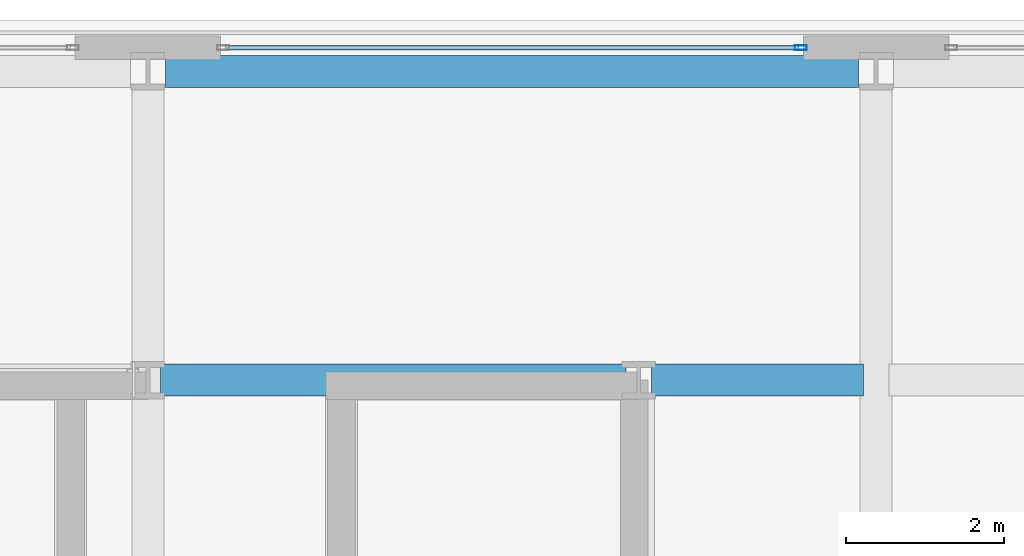
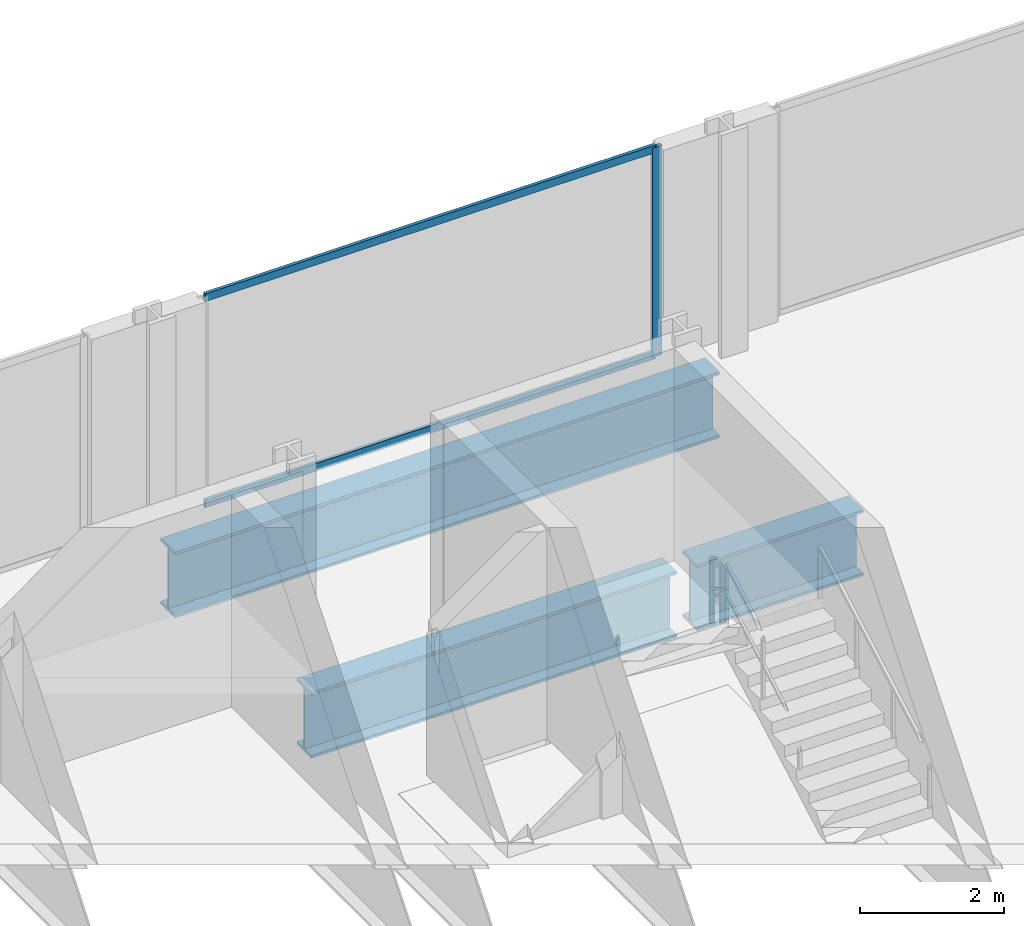
# One storey, part 18 of 26: 3 beams, 3 members, 1 element without a shape of its own.
"""IFC4 building model written with IfcOpenShell, lengths in metres."""

from ifc_helpers import new_model, si_unit, direction, frame, origin, origin_2d, place, context, subcontext, project, spatial, hollow_rectangle, i_section, extrude, material, layer, layer_set, material_profile, profile_set, type_object, element, aggregate, save


model = new_model("IFC4")

# Units and contexts
model_context = context("Model", 3, precision=1e-05, world=origin(), true_north=direction((0.0, 1.0)))
body_context = subcontext(model_context, "Body", "Model", "MODEL_VIEW")
ifc_project = project(units=[si_unit("LENGTHUNIT", "METRE"), si_unit("AREAUNIT", "SQUARE_METRE"), si_unit("VOLUMEUNIT", "CUBIC_METRE"), si_unit("PLANEANGLEUNIT", "RADIAN"), si_unit("MASSUNIT", "GRAM", prefix="KILO")], contexts=[model_context])

# Site, building, storey
site_placement = place(None, origin())
site = spatial("IfcSite", under=ifc_project, at=site_placement, CompositionType="ELEMENT")
building_placement = place(site_placement, origin())
building = spatial("IfcBuilding", under=site, at=building_placement, Name="Zuhayl Quay Hotel", CompositionType="ELEMENT")
storey_placement = place(building_placement, frame((0.0, 0.0, 301.050048828125)))
storey = spatial("IfcBuildingStorey", under=building, at=storey_placement, Name="Crown 2", CompositionType="ELEMENT", Elevation=301.050048828125)

# Beams
ifc_material_1 = material(Name="Steel ASTM A913 Grade 65", Category="steel")
ifc_material_profile_1 = material_profile(ifc_material_1, i_section(OverallWidth=0.404052734375, OverallDepth=1.117919921875, WebThickness=0.026123046875, FlangeThickness=0.044921875, at=origin_2d()), Name="W44X335")
ifc_profile_set_1 = profile_set([ifc_material_profile_1], Name="Steel ASTM A913 Grade 65")
beam_type = type_object("IfcBeamType", Name="BM_TG1_W44X335", PredefinedType="BEAM", material=ifc_profile_set_1)
beam_1_placement = place(storey_placement, frame((-4.43994140625, 34.449951171875, -0.799072265625), z_axis=(1.0, 0.0, 0.0), x_axis=(0.0, 1.0, 0.0)))
element("IfcBeam", 1, at=beam_1_placement, inside=storey, type_object=beam_type, Name="Crown 2 Floor Beam CR_EW_2_2_3", PredefinedType="BEAM", context=body_context, shape_type="SweptSolid", body=[
    extrude(i_section(OverallWidth=0.404052734375, OverallDepth=1.117919921875, WebThickness=0.026123046875, FlangeThickness=0.044921875, at=origin_2d()), origin(), (0.0, 0.0, 1.0), 5.8798828125),
])
beam_2_placement = place(storey_placement, frame((1.760009765625, 34.449951171875, -0.799072265625), z_axis=(1.0, 0.0, 0.0), x_axis=(0.0, 1.0, 0.0)))
element("IfcBeam", 2, at=beam_2_placement, inside=storey, type_object=beam_type, Name="Crown 2 Floor Beam CR_EW_2_2_4", PredefinedType="BEAM", context=body_context, shape_type="SweptSolid", body=[
    extrude(i_section(OverallWidth=0.404052734375, OverallDepth=1.117919921875, WebThickness=0.026123046875, FlangeThickness=0.044921875, at=origin_2d()), origin(), (0.0, 0.0, 1.0), 2.679931640625),
])
beam_3_placement = place(storey_placement, frame((-4.3798828125, 38.35009765625, -0.799072265625), z_axis=(1.0, 0.0, 0.0), x_axis=(0.0, 1.0, 0.0)))
element("IfcBeam", 3, at=beam_3_placement, inside=storey, type_object=beam_type, Name="Crown 2 Floor Beam CR_N_C_2", PredefinedType="BEAM", context=body_context, shape_type="SweptSolid", body=[
    extrude(i_section(OverallWidth=0.404052734375, OverallDepth=1.117919921875, WebThickness=0.026123046875, FlangeThickness=0.044921875, at=origin_2d()), origin(), (0.0, 0.0, 1.0), 8.759765625),
])

# Curtain wall, members
ifc_material_2 = material(Name="Anodised Aluminium 6063-T6", Category="aluminium")
ifc_layer = layer(ifc_material_2, 0.159912109375, Name="Anodised Aluminium 6063-T6", Category="aluminium")
ifc_layer_set = layer_set([ifc_layer], Name="Anodised Aluminium 6063-T6")
curtain_wall_type = type_object("IfcCurtainWallType", Name="CW_SYS_CRN", PredefinedType="USERDEFINED", material=ifc_layer_set)
curtain_wall_placement = place(storey_placement, origin())
curtain_wall = element("IfcCurtainWall", 4, at=curtain_wall_placement, inside=storey, type_object=curtain_wall_type, Name="Crown 2 Curtain Wall ENV_CR2_E3_CW3", ObjectType="UNITISED CURTAIN WALL", PredefinedType="USERDEFINED")
ifc_material_3 = material(Name="Black-anodised aluminium 6063-T6", Category="aluminium")
ifc_material_profile_2 = material_profile(ifc_material_3, hollow_rectangle(XDim=0.06005859375, YDim=0.14990234375, WallThickness=0.00341796875, at=origin_2d()), Name="ALU150X60")
ifc_profile_set_2 = profile_set([ifc_material_profile_2], Name="Black-anodised aluminium 6063-T6")
member_type_1 = type_object("IfcMemberType", Name="MB_CW_MUL_150", PredefinedType="MULLION", material=ifc_profile_set_2)
member_1_placement = place(storey_placement, frame((3.64990234375, 38.64990234375, 0.0), z_axis=(0.0, 0.0, 1.0), x_axis=(0.0, 1.0, 0.0)))
member_1 = element("IfcMember", 5, at=member_1_placement, type_object=member_type_1, Name="CW-CRN mullion 2", PredefinedType="MULLION", context=body_context, shape_type="SweptSolid", body=[
    extrude(hollow_rectangle(XDim=0.06005859375, YDim=0.14990234375, WallThickness=0.00341796875, at=origin_2d()), origin(), (0.0, 0.0, 1.0), 3.56005859375),
])
ifc_material_profile_3 = material_profile(ifc_material_3, hollow_rectangle(XDim=0.054931640625, YDim=0.1298828125, WallThickness=0.0029296875, at=origin_2d()), Name="ALU130X55")
ifc_profile_set_3 = profile_set([ifc_material_profile_3], Name="Black-anodised aluminium 6063-T6")
member_type_2 = type_object("IfcMemberType", Name="MB_CW_TRN_130", PredefinedType="USERDEFINED", material=ifc_profile_set_3)
member_2_placement = place(storey_placement, frame((-3.6201171875, 38.64990234375, 0.02734375), z_axis=(1.0, 0.0, 0.0), x_axis=(0.0, 1.0, 0.0)))
member_2 = element("IfcMember", 6, at=member_2_placement, type_object=member_type_2, Name="CW-CRN transom 1.1", ObjectType="TRANSOM", PredefinedType="USERDEFINED", context=body_context, shape_type="SweptSolid", body=[
    extrude(hollow_rectangle(XDim=0.054931640625, YDim=0.1298828125, WallThickness=0.0029296875, at=origin_2d()), origin(), (0.0, 0.0, 1.0), 7.240234375),
])
member_3_placement = place(storey_placement, frame((-3.6201171875, 38.64990234375, 3.532470703125), z_axis=(1.0, 0.0, 0.0), x_axis=(0.0, 1.0, 0.0)))
member_3 = element("IfcMember", 7, at=member_3_placement, type_object=member_type_2, Name="CW-CRN transom 1.2", ObjectType="TRANSOM", PredefinedType="USERDEFINED", context=body_context, shape_type="SweptSolid", body=[
    extrude(hollow_rectangle(XDim=0.054931640625, YDim=0.1298828125, WallThickness=0.0029296875, at=origin_2d()), origin(), (0.0, 0.0, 1.0), 7.240234375),
])
aggregate(curtain_wall, [member_1, member_2, member_3])

save(model, "model.ifc")
